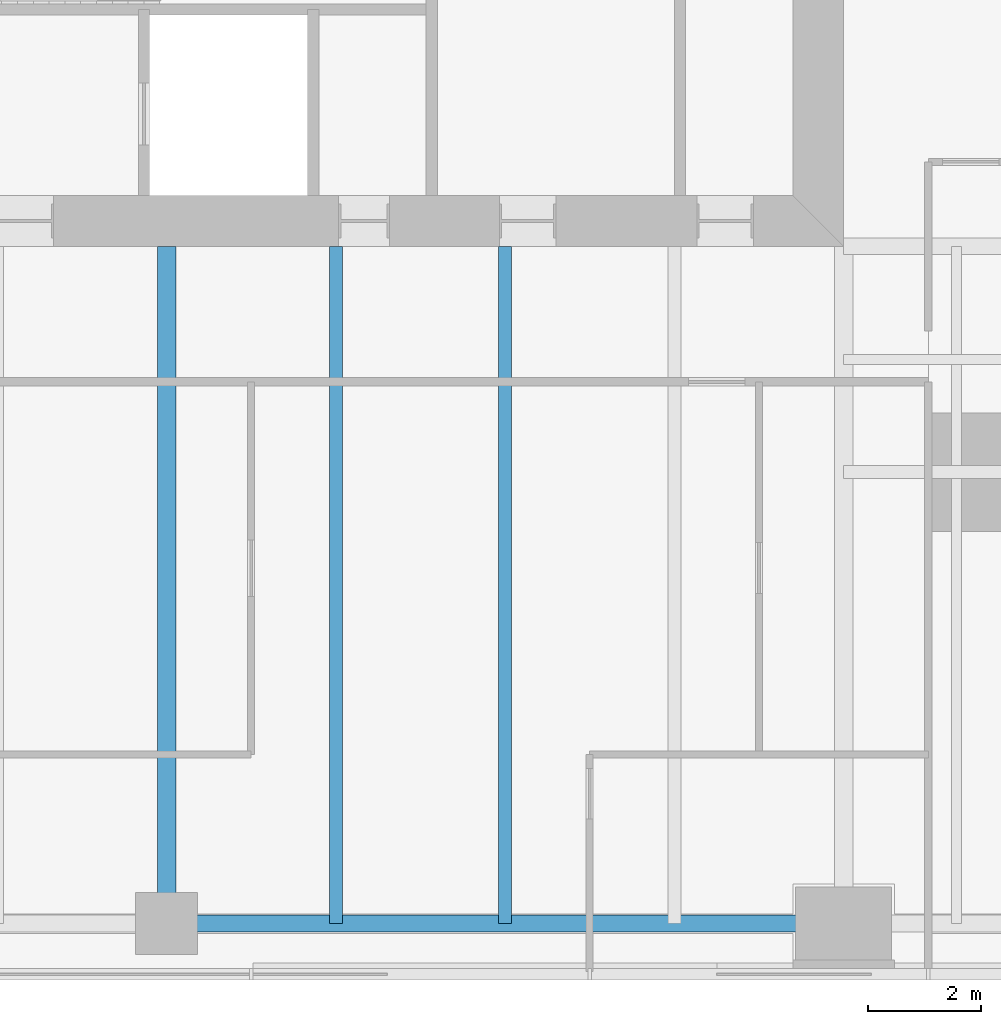
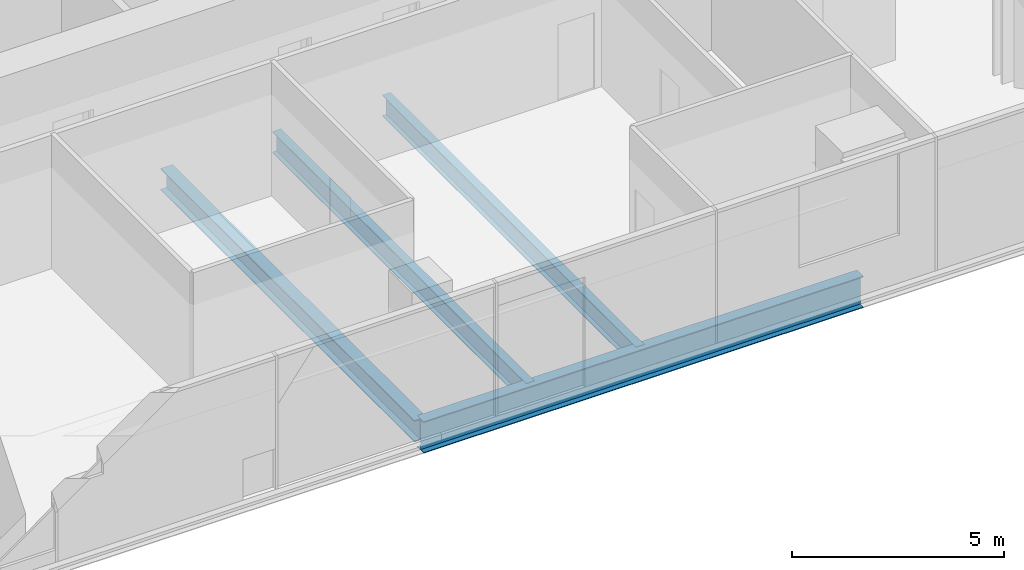
# One storey, part 3 of 14: 4 beams.
"""IFC4 building model written with IfcOpenShell, lengths in metres."""

from ifc_helpers import new_model, si_unit, direction, frame, origin, origin_2d, place, context, subcontext, project, spatial, i_section, extrude, material, material_profile, profile_set, type_object, element, save


model = new_model("IFC4")

# Units and contexts
model_context = context("Model", 3, precision=1e-05, world=origin(), true_north=direction((0.0, 1.0)))
body_context = subcontext(model_context, "Body", "Model", "MODEL_VIEW")
ifc_project = project(units=[si_unit("LENGTHUNIT", "METRE"), si_unit("AREAUNIT", "SQUARE_METRE"), si_unit("VOLUMEUNIT", "CUBIC_METRE"), si_unit("PLANEANGLEUNIT", "RADIAN"), si_unit("MASSUNIT", "GRAM", prefix="KILO")], contexts=[model_context])

# Site, building, storey
site_placement = place(None, origin())
site = spatial("IfcSite", under=ifc_project, at=site_placement, CompositionType="ELEMENT")
building_placement = place(site_placement, origin())
building = spatial("IfcBuilding", under=site, at=building_placement, Name="Fenwick Lantern Interchange", CompositionType="ELEMENT")
storey_placement = place(building_placement, frame((0.0, 0.0, 205.800048828125)))
storey = spatial("IfcBuildingStorey", under=building, at=storey_placement, Name="L48", CompositionType="ELEMENT", Elevation=205.800048828125)

# Beams
ifc_material = material(Name="Steel ASTM A992 Grade 50", Category="steel")
ifc_material_profile_1 = material_profile(ifc_material, i_section(OverallWidth=0.3046875, OverallDepth=0.911865234375, WebThickness=0.015869140625, FlangeThickness=0.02392578125, at=origin_2d()), Name="W36X150")
ifc_profile_set_1 = profile_set([ifc_material_profile_1], Name="Steel ASTM A992 Grade 50")
beam_type_1 = type_object("IfcBeamType", Name="EDGE BEAM W36X150", PredefinedType="SPANDREL", material=ifc_profile_set_1)
beam_1_placement = place(storey_placement, frame((25.0, 1.0, -0.60595703125), z_axis=(1.0, 0.0, 0.0), x_axis=(0.0, 1.0, 0.0)))
element("IfcBeam", 1, at=beam_1_placement, inside=storey, type_object=beam_type_1, Name="L48/FR/S/EB3", PredefinedType="SPANDREL", context=body_context, shape_type="SweptSolid", body=[
    extrude(i_section(OverallWidth=0.3046875, OverallDepth=0.911865234375, WebThickness=0.015869140625, FlangeThickness=0.02392578125, at=origin_2d()), origin(), (0.0, 0.0, 1.0), 12.0),
])
ifc_material_profile_2 = material_profile(ifc_material, i_section(OverallWidth=0.22900390625, OverallDepth=0.612060546875, WebThickness=0.011962890625, FlangeThickness=0.01953125, at=origin_2d()), Name="W24X84")
ifc_profile_set_2 = profile_set([ifc_material_profile_2], Name="Steel ASTM A992 Grade 50")
beam_type_2 = type_object("IfcBeamType", Name="FLOOR BEAM W24X84", PredefinedType="BEAM", material=ifc_profile_set_2)
for number, where, z_axis, x_axis, name in (
    (2, (28.0, 1.0, -0.4560546875), (0.0, 1.0, 0.0), (-1.0, 0.0, 0.0), "L48/FR/S/R06"),
    (3, (31.0, 1.0, -0.4560546875), (0.0, 1.0, 0.0), (-1.0, 0.0, 0.0), "L48/FR/S/R07"),
):
    element("IfcBeam", number, at=place(storey_placement, frame(where, z_axis=z_axis, x_axis=x_axis)), inside=storey, type_object=beam_type_2, Name=name, PredefinedType="BEAM", context=body_context, shape_type="SweptSolid", body=[
        extrude(i_section(OverallWidth=0.22900390625, OverallDepth=0.612060546875, WebThickness=0.011962890625, FlangeThickness=0.01953125, at=origin_2d()), origin(), (0.0, 0.0, 1.0), 12.0),
    ])
ifc_material_profile_3 = material_profile(ifc_material, i_section(OverallWidth=0.32763671875, OverallDepth=0.622314453125, WebThickness=0.015380859375, FlangeThickness=0.0244140625, at=origin_2d()), Name="W24X131")
ifc_profile_set_3 = profile_set([ifc_material_profile_3], Name="Steel ASTM A992 Grade 50")
beam_type_3 = type_object("IfcBeamType", Name="MOMENT-CONNECTED GIRDER W24X131", PredefinedType="BEAM", material=ifc_profile_set_3)
beam_2_placement = place(storey_placement, frame((25.0, 1.0, -0.461181640625), z_axis=(0.0, 1.0, 0.0), x_axis=(-1.0, 0.0, 0.0)))
element("IfcBeam", 4, at=beam_2_placement, inside=storey, type_object=beam_type_3, Name="L48/FR/S/R05", PredefinedType="BEAM", context=body_context, shape_type="SweptSolid", body=[
    extrude(i_section(OverallWidth=0.32763671875, OverallDepth=0.622314453125, WebThickness=0.015380859375, FlangeThickness=0.0244140625, at=origin_2d()), origin(), (0.0, 0.0, 1.0), 12.0),
])

save(model, "model.ifc")
